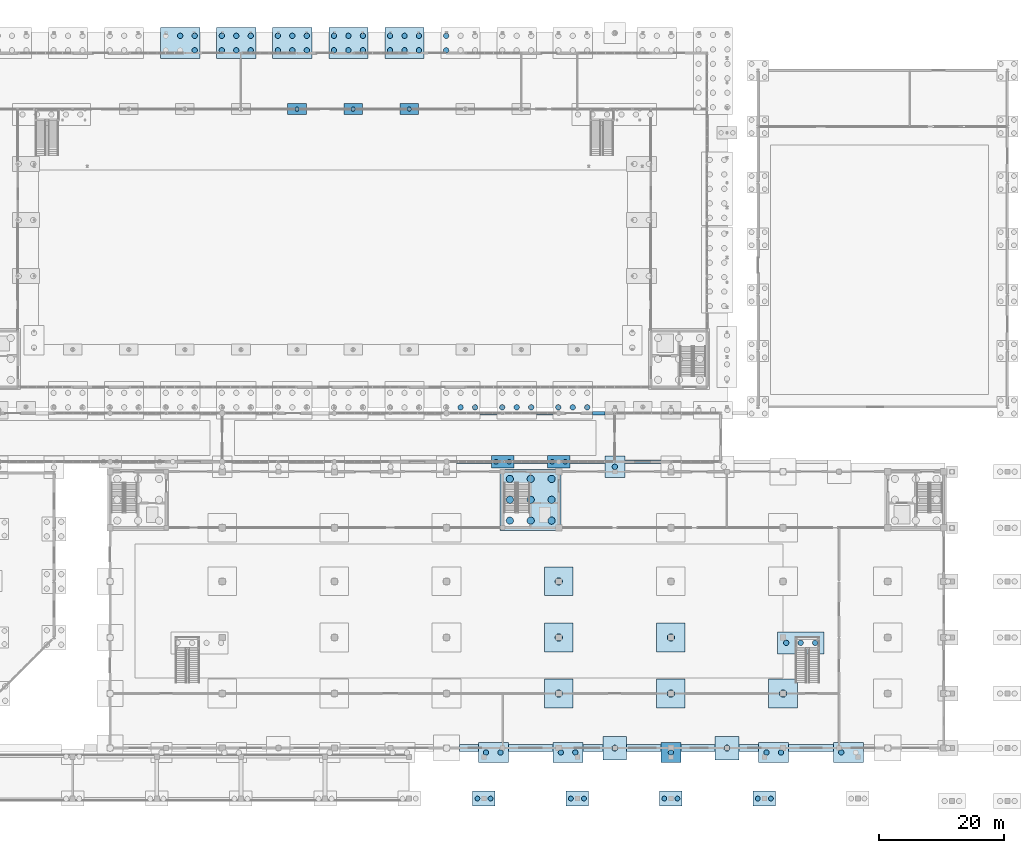
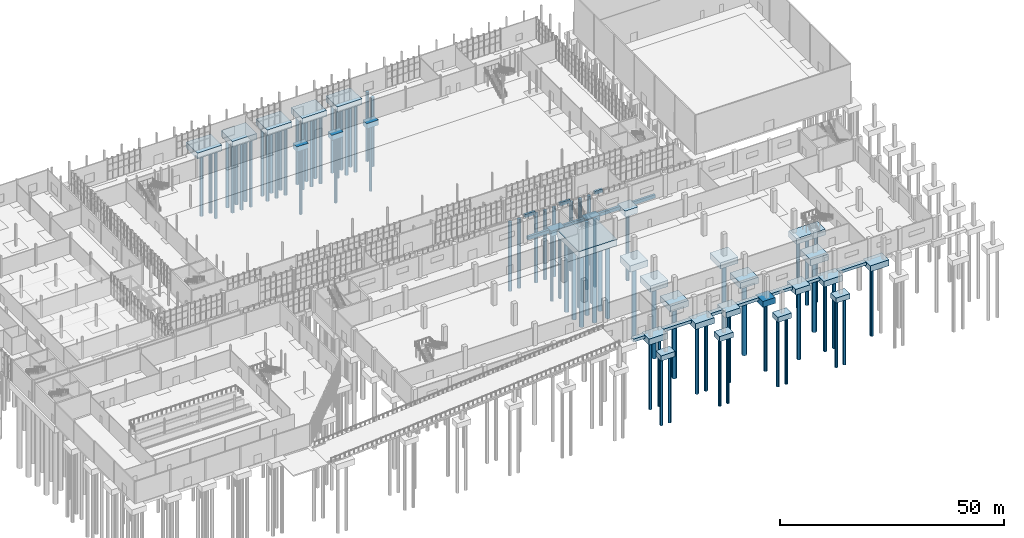
# One storey, part 5 of 131: 81 piles, 44 footings.
"""IFC4 building model written with IfcOpenShell, lengths in metres."""

from ifc_helpers import new_model, si_unit, direction, frame, origin, origin_2d, place, context, subcontext, project, spatial, rectangle, circle, extrude, material, material_profile, profile_set, type_object, element, save


model = new_model("IFC4")

# Units and contexts
model_context = context("Model", 3, precision=1e-05, world=origin(), true_north=direction((0.0, 1.0)))
body_context = subcontext(model_context, "Body", "Model", "MODEL_VIEW")
ifc_project = project(units=[si_unit("LENGTHUNIT", "METRE"), si_unit("AREAUNIT", "SQUARE_METRE"), si_unit("VOLUMEUNIT", "CUBIC_METRE"), si_unit("PLANEANGLEUNIT", "RADIAN"), si_unit("MASSUNIT", "GRAM", prefix="KILO")], contexts=[model_context])

# Site, building, storey
site_placement = place(None, origin())
site = spatial("IfcSite", under=ifc_project, at=site_placement, CompositionType="ELEMENT")
building_placement = place(site_placement, origin())
building = spatial("IfcBuilding", under=site, at=building_placement, Name="Cazmaro Siding Exhibition Halls", CompositionType="ELEMENT")
storey_placement = place(building_placement, origin())
storey = spatial("IfcBuildingStorey", under=building, at=storey_placement, Name="L00", CompositionType="ELEMENT", Elevation=0.0)

# Footings
ifc_material_1 = material(Name="Concrete f'c 35 MPa", Category="concrete")
footing_type_1 = type_object("IfcFootingType", Name="GB-0200", PredefinedType="FOOTING_BEAM", material=ifc_material_1)
footing_1_placement = place(storey_placement, frame((150.39990234375, 63.0, -0.89990234375), z_axis=(0.0, 0.0, 1.0), x_axis=(1.0, 0.0, 0.0)))
element("IfcFooting", 1, at=footing_1_placement, inside=storey, type_object=footing_type_1, Name="Seismic tie ground beam GB-0200 FTG-0277", PredefinedType="FOOTING_BEAM", context=body_context, shape_type="SweptSolid", body=[
    extrude(rectangle(XDim=2.0, YDim=0.60009765625, at=origin_2d()), origin(), (0.0, 0.0, 1.0), 0.89990234375),
])
ifc_material_2 = material(Name="Concrete f'c 35 MPa", Category="concrete")
footing_type_2 = type_object("IfcFootingType", Name="GB-0270", PredefinedType="FOOTING_BEAM", material=ifc_material_2)
for number, where, z_axis, x_axis, name in (
    (2, (132.75, 63.0, -0.89990234375), (0.0, 0.0, 1.0), (1.0, 0.0, 0.0), "Seismic tie ground beam GB-0270 FTG-0275"),
    (3, (141.75, 63.0, -0.89990234375), (0.0, 0.0, 1.0), (1.0, 0.0, 0.0), "Seismic tie ground beam GB-0270 FTG-0276"),
):
    element("IfcFooting", number, at=place(storey_placement, frame(where, z_axis=z_axis, x_axis=x_axis)), inside=storey, type_object=footing_type_2, Name=name, PredefinedType="FOOTING_BEAM", context=body_context, shape_type="SweptSolid", body=[
        extrude(rectangle(XDim=2.699951171875, YDim=0.60009765625, at=origin_2d()), origin(), (0.0, 0.0, 1.0), 0.89990234375),
    ])
ifc_material_3 = material(Name="Concrete f'c 35 MPa", Category="concrete")
footing_type_3 = type_object("IfcFootingType", Name="GB-0540", PredefinedType="FOOTING_BEAM", material=ifc_material_3)
footing_2_placement = place(storey_placement, frame((139.5, 55.199951171875, -0.89990234375), z_axis=(0.0, 0.0, 1.0), x_axis=(1.0, 0.0, 0.0)))
element("IfcFooting", 4, at=footing_2_placement, inside=storey, type_object=footing_type_3, Name="Seismic tie ground beam GB-0540 FTG-0257", PredefinedType="FOOTING_BEAM", context=body_context, shape_type="SweptSolid", body=[
    extrude(rectangle(XDim=5.39990234375, YDim=0.60009765625, at=origin_2d()), origin(), (0.0, 0.0, 1.0), 0.89990234375),
])
ifc_material_4 = material(Name="Concrete f'c 35 MPa", Category="concrete")
footing_type_4 = type_object("IfcFootingType", Name="GB-0560", PredefinedType="FOOTING_BEAM", material=ifc_material_4)
for number, where, z_axis, x_axis, name in (
    (5, (130.39990234375, 55.199951171875, -0.89990234375), (0.0, 0.0, 1.0), (1.0, 0.0, 0.0), "Seismic tie ground beam GB-0560 FTG-0256"),
    (6, (148.60009765625, 55.199951171875, -0.89990234375), (0.0, 0.0, 1.0), (1.0, 0.0, 0.0), "Seismic tie ground beam GB-0560 FTG-0258"),
):
    element("IfcFooting", number, at=place(storey_placement, frame(where, z_axis=z_axis, x_axis=x_axis)), inside=storey, type_object=footing_type_4, Name=name, PredefinedType="FOOTING_BEAM", context=body_context, shape_type="SweptSolid", body=[
        extrude(rectangle(XDim=5.60009765625, YDim=0.60009765625, at=origin_2d()), origin(), (0.0, 0.0, 1.0), 0.89990234375),
    ])
ifc_material_5 = material(Name="Concrete f'c 35 MPa", Category="concrete")
footing_type_5 = type_object("IfcFootingType", Name="GB-0580", PredefinedType="FOOTING_BEAM", material=ifc_material_5)
footing_3_placement = place(storey_placement, frame((157.5, 55.199951171875, -0.89990234375), z_axis=(0.0, 0.0, 1.0), x_axis=(1.0, 0.0, 0.0)))
element("IfcFooting", 7, at=footing_3_placement, inside=storey, type_object=footing_type_5, Name="Seismic tie ground beam GB-0580 FTG-0259", PredefinedType="FOOTING_BEAM", context=body_context, shape_type="SweptSolid", body=[
    extrude(rectangle(XDim=5.800048828125, YDim=0.60009765625, at=origin_2d()), origin(), (0.0, 0.0, 1.0), 0.89990234375),
])

# Piles
ifc_material_6 = material(Name="Concrete f'c 35 MPa", Category="concrete")
ifc_material_profile_1 = material_profile(ifc_material_6, circle(Radius=0.35009765625, at=origin_2d()), Name="CIDH-700")
ifc_profile_set_1 = profile_set([ifc_material_profile_1], Name="Concrete f'c 35 MPa")
pile_type_1 = type_object("IfcPileType", Name="P-01", PredefinedType="BORED", material=ifc_profile_set_1)
for number, where, z_axis, x_axis, name in (
    (8, (102.0, 111.800048828125, -1.300048828125), (0.0, 0.0, -1.0), (1.0, 0.0, 0.0), "Bored pile P-01 PIL-0472"),
    (9, (111.0, 111.800048828125, -1.300048828125), (0.0, 0.0, -1.0), (1.0, 0.0, 0.0), "Bored pile P-01 PIL-0494"),
    (10, (120.0, 111.800048828125, -1.300048828125), (0.0, 0.0, -1.0), (1.0, 0.0, 0.0), "Bored pile P-01 PIL-0513"),
):
    element("IfcPile", number, at=place(storey_placement, frame(where, z_axis=z_axis, x_axis=x_axis)), inside=storey, type_object=pile_type_1, Name=name, PredefinedType="BORED", context=body_context, shape_type="SweptSolid", body=[
        extrude(circle(Radius=0.35009765625, at=origin_2d()), origin(), (0.0, 0.0, 1.0), 18.0),
    ])
ifc_material_7 = material(Name="Concrete f'c 35 MPa", Category="concrete")
ifc_material_profile_2 = material_profile(ifc_material_7, circle(Radius=0.389892578125, at=origin_2d()), Name="CIDH-780")
ifc_profile_set_2 = profile_set([ifc_material_profile_2], Name="Concrete f'c 35 MPa")
pile_type_2 = type_object("IfcPileType", Name="P-02", PredefinedType="BORED", material=ifc_profile_set_2)
for number, where, z_axis, x_axis, name in (
    (11, (130.947021484375, 1.14990234375, -1.300048828125), (0.0, 0.0, -1.0), (1.0, 0.0, 0.0), "Bored pile P-02 PIL-0534"),
    (12, (133.052978515625, 1.14990234375, -1.300048828125), (0.0, 0.0, -1.0), (1.0, 0.0, 0.0), "Bored pile P-02 PIL-0535"),
    (13, (133.947021484375, 55.199951171875, -1.35009765625), (0.0, 0.0, -1.0), (1.0, 0.0, 0.0), "Bored pile P-02 PIL-0538"),
    (14, (136.052978515625, 55.199951171875, -1.35009765625), (0.0, 0.0, -1.0), (1.0, 0.0, 0.0), "Bored pile P-02 PIL-0539"),
    (15, (142.947021484375, 55.199951171875, -1.35009765625), (0.0, 0.0, -1.0), (1.0, 0.0, 0.0), "Bored pile P-02 PIL-0559"),
    (16, (145.052978515625, 55.199951171875, -1.35009765625), (0.0, 0.0, -1.0), (1.0, 0.0, 0.0), "Bored pile P-02 PIL-0560"),
    (17, (145.947021484375, 1.14990234375, -1.300048828125), (0.0, 0.0, -1.0), (1.0, 0.0, 0.0), "Bored pile P-02 PIL-0573"),
    (18, (148.052978515625, 1.14990234375, -1.300048828125), (0.0, 0.0, -1.0), (1.0, 0.0, 0.0), "Bored pile P-02 PIL-0574"),
    (19, (160.947021484375, 1.14990234375, -1.300048828125), (0.0, 0.0, -1.0), (1.0, 0.0, 0.0), "Bored pile P-02 PIL-0601"),
    (20, (163.052978515625, 1.14990234375, -1.300048828125), (0.0, 0.0, -1.0), (1.0, 0.0, 0.0), "Bored pile P-02 PIL-0602"),
    (21, (175.947021484375, 1.14990234375, -1.300048828125), (0.0, 0.0, -1.0), (1.0, 0.0, 0.0), "Bored pile P-02 PIL-0689"),
    (22, (178.052978515625, 1.14990234375, -1.300048828125), (0.0, 0.0, -1.0), (1.0, 0.0, 0.0), "Bored pile P-02 PIL-0690"),
):
    element("IfcPile", number, at=place(storey_placement, frame(where, z_axis=z_axis, x_axis=x_axis)), inside=storey, type_object=pile_type_2, Name=name, PredefinedType="BORED", context=body_context, shape_type="SweptSolid", body=[
        extrude(circle(Radius=0.389892578125, at=origin_2d()), origin(), (0.0, 0.0, 1.0), 18.39990234375),
    ])
ifc_material_8 = material(Name="Concrete f'c 35 MPa", Category="concrete")
ifc_material_profile_3 = material_profile(ifc_material_8, circle(Radius=0.429931640625, at=origin_2d()), Name="CIDH-860")
ifc_profile_set_3 = profile_set([ifc_material_profile_3], Name="Concrete f'c 35 MPa")
pile_type_3 = type_object("IfcPileType", Name="P-03", PredefinedType="BORED", material=ifc_profile_set_3)
for number, where, z_axis, x_axis, name in (
    (23, (83.25, 123.56103515625, -1.5), (0.0, 0.0, -1.0), (1.0, 0.0, 0.0), "Bored pile P-03 PIL-0426"),
    (24, (85.572021484375, 121.239013671875, -1.5), (0.0, 0.0, -1.0), (1.0, 0.0, 0.0), "Bored pile P-03 PIL-0427"),
    (25, (85.572021484375, 123.56103515625, -1.5), (0.0, 0.0, -1.0), (1.0, 0.0, 0.0), "Bored pile P-03 PIL-0428"),
    (26, (89.927978515625, 121.239013671875, -1.5), (0.0, 0.0, -1.0), (1.0, 0.0, 0.0), "Bored pile P-03 PIL-0447"),
    (27, (89.927978515625, 123.56103515625, -1.5), (0.0, 0.0, -1.0), (1.0, 0.0, 0.0), "Bored pile P-03 PIL-0448"),
    (28, (92.25, 121.239013671875, -1.5), (0.0, 0.0, -1.0), (1.0, 0.0, 0.0), "Bored pile P-03 PIL-0449"),
    (29, (92.25, 123.56103515625, -1.5), (0.0, 0.0, -1.0), (1.0, 0.0, 0.0), "Bored pile P-03 PIL-0450"),
    (30, (94.572021484375, 121.239013671875, -1.5), (0.0, 0.0, -1.0), (1.0, 0.0, 0.0), "Bored pile P-03 PIL-0451"),
    (31, (94.572021484375, 123.56103515625, -1.5), (0.0, 0.0, -1.0), (1.0, 0.0, 0.0), "Bored pile P-03 PIL-0452"),
    (32, (98.927978515625, 121.239013671875, -1.5), (0.0, 0.0, -1.0), (1.0, 0.0, 0.0), "Bored pile P-03 PIL-0465"),
    (33, (98.927978515625, 123.56103515625, -1.5), (0.0, 0.0, -1.0), (1.0, 0.0, 0.0), "Bored pile P-03 PIL-0466"),
    (34, (101.25, 121.239013671875, -1.5), (0.0, 0.0, -1.0), (1.0, 0.0, 0.0), "Bored pile P-03 PIL-0467"),
    (35, (101.25, 123.56103515625, -1.5), (0.0, 0.0, -1.0), (1.0, 0.0, 0.0), "Bored pile P-03 PIL-0468"),
    (36, (103.572021484375, 121.239013671875, -1.5), (0.0, 0.0, -1.0), (1.0, 0.0, 0.0), "Bored pile P-03 PIL-0469"),
    (37, (103.572021484375, 123.56103515625, -1.5), (0.0, 0.0, -1.0), (1.0, 0.0, 0.0), "Bored pile P-03 PIL-0470"),
    (38, (107.927978515625, 121.239013671875, -1.5), (0.0, 0.0, -1.0), (1.0, 0.0, 0.0), "Bored pile P-03 PIL-0487"),
    (39, (107.927978515625, 123.56103515625, -1.5), (0.0, 0.0, -1.0), (1.0, 0.0, 0.0), "Bored pile P-03 PIL-0488"),
    (40, (110.25, 121.239013671875, -1.5), (0.0, 0.0, -1.0), (1.0, 0.0, 0.0), "Bored pile P-03 PIL-0489"),
    (41, (110.25, 123.56103515625, -1.5), (0.0, 0.0, -1.0), (1.0, 0.0, 0.0), "Bored pile P-03 PIL-0490"),
    (42, (112.572021484375, 121.239013671875, -1.5), (0.0, 0.0, -1.0), (1.0, 0.0, 0.0), "Bored pile P-03 PIL-0491"),
    (43, (112.572021484375, 123.56103515625, -1.5), (0.0, 0.0, -1.0), (1.0, 0.0, 0.0), "Bored pile P-03 PIL-0492"),
    (44, (116.927978515625, 121.239013671875, -1.5), (0.0, 0.0, -1.0), (1.0, 0.0, 0.0), "Bored pile P-03 PIL-0504"),
    (45, (116.927978515625, 123.56103515625, -1.5), (0.0, 0.0, -1.0), (1.0, 0.0, 0.0), "Bored pile P-03 PIL-0505"),
    (46, (119.25, 121.239013671875, -1.5), (0.0, 0.0, -1.0), (1.0, 0.0, 0.0), "Bored pile P-03 PIL-0506"),
    (47, (119.25, 123.56103515625, -1.5), (0.0, 0.0, -1.0), (1.0, 0.0, 0.0), "Bored pile P-03 PIL-0507"),
    (48, (121.572021484375, 121.239013671875, -1.5), (0.0, 0.0, -1.0), (1.0, 0.0, 0.0), "Bored pile P-03 PIL-0508"),
    (49, (121.572021484375, 123.56103515625, -1.5), (0.0, 0.0, -1.0), (1.0, 0.0, 0.0), "Bored pile P-03 PIL-0509"),
    (50, (128.25, 63.93896484375, -1.5), (0.0, 0.0, -1.0), (1.0, 0.0, 0.0), "Bored pile P-03 PIL-0522"),
    (51, (130.572021484375, 63.93896484375, -1.5), (0.0, 0.0, -1.0), (1.0, 0.0, 0.0), "Bored pile P-03 PIL-0524"),
    (52, (125.927978515625, 121.239013671875, -1.5), (0.0, 0.0, -1.0), (1.0, 0.0, 0.0), "Bored pile P-03 PIL-0526"),
    (53, (125.927978515625, 123.56103515625, -1.5), (0.0, 0.0, -1.0), (1.0, 0.0, 0.0), "Bored pile P-03 PIL-0527"),
    (54, (132.339111328125, 8.550048828125, -1.5), (0.0, 0.0, -1.0), (1.0, 0.0, 0.0), "Bored pile P-03 PIL-0536"),
    (55, (134.660888671875, 8.550048828125, -1.5), (0.0, 0.0, -1.0), (1.0, 0.0, 0.0), "Bored pile P-03 PIL-0537"),
    (56, (134.927978515625, 63.93896484375, -1.5), (0.0, 0.0, -1.0), (1.0, 0.0, 0.0), "Bored pile P-03 PIL-0540"),
    (57, (137.25, 63.93896484375, -1.5), (0.0, 0.0, -1.0), (1.0, 0.0, 0.0), "Bored pile P-03 PIL-0542"),
    (58, (139.572021484375, 63.93896484375, -1.5), (0.0, 0.0, -1.0), (1.0, 0.0, 0.0), "Bored pile P-03 PIL-0544"),
    (59, (144.339111328125, 8.550048828125, -1.5), (0.0, 0.0, -1.0), (1.0, 0.0, 0.0), "Bored pile P-03 PIL-0554"),
    (60, (146.660888671875, 8.550048828125, -1.5), (0.0, 0.0, -1.0), (1.0, 0.0, 0.0), "Bored pile P-03 PIL-0555"),
    (61, (143.927978515625, 63.93896484375, -1.5), (0.0, 0.0, -1.0), (1.0, 0.0, 0.0), "Bored pile P-03 PIL-0561"),
    (62, (146.25, 63.93896484375, -1.5), (0.0, 0.0, -1.0), (1.0, 0.0, 0.0), "Bored pile P-03 PIL-0563"),
    (63, (148.572021484375, 63.93896484375, -1.5), (0.0, 0.0, -1.0), (1.0, 0.0, 0.0), "Bored pile P-03 PIL-0565"),
    (64, (153.0, 54.39990234375, -1.5), (0.0, 0.0, -1.0), (1.0, 0.0, 0.0), "Bored pile P-03 PIL-0583"),
    (65, (162.0, 8.550048828125, -1.5), (0.0, 0.0, -1.0), (1.0, 0.0, 0.0), "Bored pile P-03 PIL-0603"),
    (66, (177.339111328125, 8.550048828125, -1.5), (0.0, 0.0, -1.0), (1.0, 0.0, 0.0), "Bored pile P-03 PIL-0691"),
    (67, (179.660888671875, 8.550048828125, -1.5), (0.0, 0.0, -1.0), (1.0, 0.0, 0.0), "Bored pile P-03 PIL-0692"),
    (68, (180.5029296875, 26.135009765625, -1.5), (0.0, 0.0, -1.0), (1.0, 0.0, 0.0), "Bored pile P-03 PIL-0694"),
    (69, (182.824951171875, 26.135009765625, -1.5), (0.0, 0.0, -1.0), (1.0, 0.0, 0.0), "Bored pile P-03 PIL-0695"),
    (70, (185.14697265625, 26.135009765625, -1.5), (0.0, 0.0, -1.0), (1.0, 0.0, 0.0), "Bored pile P-03 PIL-0696"),
    (71, (189.339111328125, 8.550048828125, -1.5), (0.0, 0.0, -1.0), (1.0, 0.0, 0.0), "Bored pile P-03 PIL-0700"),
):
    element("IfcPile", number, at=place(storey_placement, frame(where, z_axis=z_axis, x_axis=x_axis)), inside=storey, type_object=pile_type_3, Name=name, PredefinedType="BORED", context=body_context, shape_type="SweptSolid", body=[
        extrude(circle(Radius=0.429931640625, at=origin_2d()), origin(), (0.0, 0.0, 1.0), 18.800048828125),
    ])
ifc_material_9 = material(Name="Concrete f'c 35 MPa", Category="concrete")
ifc_material_profile_4 = material_profile(ifc_material_9, circle(Radius=0.47998046875, at=origin_2d()), Name="CIDH-960")
ifc_profile_set_4 = profile_set([ifc_material_profile_4], Name="Concrete f'c 35 MPa")
pile_type_4 = type_object("IfcPileType", Name="P-04", PredefinedType="BORED", material=ifc_profile_set_4)
for number, where, z_axis, x_axis, name in (
    (72, (153.0, 9.25, -1.449951171875), (0.0, 0.0, -1.0), (1.0, 0.0, 0.0), "Bored pile P-04 PIL-0582"),
    (73, (171.0, 9.25, -1.449951171875), (0.0, 0.0, -1.0), (1.0, 0.0, 0.0), "Bored pile P-04 PIL-0654"),
):
    element("IfcPile", number, at=place(storey_placement, frame(where, z_axis=z_axis, x_axis=x_axis)), inside=storey, type_object=pile_type_4, Name=name, PredefinedType="BORED", context=body_context, shape_type="SweptSolid", body=[
        extrude(circle(Radius=0.47998046875, at=origin_2d()), origin(), (0.0, 0.0, 1.0), 19.199951171875),
    ])
ifc_material_10 = material(Name="Concrete f'c 35 MPa", Category="concrete")
ifc_material_profile_5 = material_profile(ifc_material_10, circle(Radius=0.580078125, at=origin_2d()), Name="CIDH-1160")
ifc_profile_set_5 = profile_set([ifc_material_profile_5], Name="Concrete f'c 35 MPa")
pile_type_5 = type_object("IfcPileType", Name="P-06", PredefinedType="BORED", material=ifc_profile_set_5)
for number, where, z_axis, x_axis, name in (
    (74, (136.14990234375, 45.75, -1.699951171875), (0.0, 0.0, -1.0), (1.0, 0.0, 0.0), "Bored pile P-06 PIL-0043"),
    (75, (136.14990234375, 49.10009765625, -1.699951171875), (0.0, 0.0, -1.0), (1.0, 0.0, 0.0), "Bored pile P-06 PIL-0044"),
    (76, (136.14990234375, 52.449951171875, -1.699951171875), (0.0, 0.0, -1.0), (1.0, 0.0, 0.0), "Bored pile P-06 PIL-0045"),
    (77, (139.5, 45.75, -1.699951171875), (0.0, 0.0, -1.0), (1.0, 0.0, 0.0), "Bored pile P-06 PIL-0046"),
    (78, (139.5, 49.10009765625, -1.699951171875), (0.0, 0.0, -1.0), (1.0, 0.0, 0.0), "Bored pile P-06 PIL-0047"),
    (79, (139.5, 52.449951171875, -1.699951171875), (0.0, 0.0, -1.0), (1.0, 0.0, 0.0), "Bored pile P-06 PIL-0048"),
    (80, (142.85009765625, 45.75, -1.699951171875), (0.0, 0.0, -1.0), (1.0, 0.0, 0.0), "Bored pile P-06 PIL-0049"),
    (81, (142.85009765625, 49.10009765625, -1.699951171875), (0.0, 0.0, -1.0), (1.0, 0.0, 0.0), "Bored pile P-06 PIL-0050"),
    (82, (142.85009765625, 52.449951171875, -1.699951171875), (0.0, 0.0, -1.0), (1.0, 0.0, 0.0), "Bored pile P-06 PIL-0051"),
    (83, (144.0, 18.0, -1.60009765625), (0.0, 0.0, -1.0), (1.0, 0.0, 0.0), "Bored pile P-06 PIL-0556"),
    (84, (144.0, 27.0, -1.60009765625), (0.0, 0.0, -1.0), (1.0, 0.0, 0.0), "Bored pile P-06 PIL-0557"),
    (85, (144.0, 36.0, -1.60009765625), (0.0, 0.0, -1.0), (1.0, 0.0, 0.0), "Bored pile P-06 PIL-0558"),
    (86, (162.0, 18.0, -1.60009765625), (0.0, 0.0, -1.0), (1.0, 0.0, 0.0), "Bored pile P-06 PIL-0604"),
    (87, (162.0, 27.0, -1.60009765625), (0.0, 0.0, -1.0), (1.0, 0.0, 0.0), "Bored pile P-06 PIL-0605"),
    (88, (180.0, 18.0, -1.60009765625), (0.0, 0.0, -1.0), (1.0, 0.0, 0.0), "Bored pile P-06 PIL-0693"),
):
    element("IfcPile", number, at=place(storey_placement, frame(where, z_axis=z_axis, x_axis=x_axis)), inside=storey, type_object=pile_type_5, Name=name, PredefinedType="BORED", context=body_context, shape_type="SweptSolid", body=[
        extrude(circle(Radius=0.580078125, at=origin_2d()), origin(), (0.0, 0.0, 1.0), 20.0),
    ])

# Footings
ifc_material_11 = material(Name="Concrete f'c 35 MPa", Category="concrete")
footing_type_6 = type_object("IfcFootingType", Name="PC-01", PredefinedType="PILE_CAP", material=ifc_material_11)
for number, where, z_axis, x_axis, name in (
    (89, (102.0, 111.800048828125, -1.39990234375), (0.0, 0.0, 1.0), (1.0, 0.0, 0.0), "Pile cap PC-01 FTG-0129"),
    (90, (111.0, 111.800048828125, -1.39990234375), (0.0, 0.0, 1.0), (1.0, 0.0, 0.0), "Pile cap PC-01 FTG-0140"),
    (91, (120.0, 111.800048828125, -1.39990234375), (0.0, 0.0, 1.0), (1.0, 0.0, 0.0), "Pile cap PC-01 FTG-0147"),
):
    element("IfcFooting", number, at=place(storey_placement, frame(where, z_axis=z_axis, x_axis=x_axis)), inside=storey, type_object=footing_type_6, Name=name, PredefinedType="PILE_CAP", context=body_context, shape_type="SweptSolid", body=[
        extrude(rectangle(XDim=3.0, YDim=1.800048828125, at=origin_2d()), origin(), (0.0, 0.0, 1.0), 1.39990234375),
    ])
ifc_material_12 = material(Name="Concrete f'c 35 MPa", Category="concrete")
footing_type_7 = type_object("IfcFootingType", Name="PC-03", PredefinedType="PILE_CAP", material=ifc_material_12)
for number, where, z_axis, x_axis, name in (
    (92, (153.0, 9.25, -1.5498046875), (0.0, 0.0, 1.0), (1.0, 0.0, 0.0), "Pile cap PC-03 FTG-0175"),
    (93, (171.0, 9.25, -1.5498046875), (0.0, 0.0, 1.0), (1.0, 0.0, 0.0), "Pile cap PC-03 FTG-0198"),
):
    element("IfcFooting", number, at=place(storey_placement, frame(where, z_axis=z_axis, x_axis=x_axis)), inside=storey, type_object=footing_type_7, Name=name, PredefinedType="PILE_CAP", context=body_context, shape_type="SweptSolid", body=[
        extrude(rectangle(XDim=3.800048828125, YDim=3.800048828125, at=origin_2d()), origin(), (0.0, 0.0, 1.0), 1.550048828125),
    ])
ifc_material_13 = material(Name="Concrete f'c 35 MPa", Category="concrete")
footing_type_8 = type_object("IfcFootingType", Name="PC-05", PredefinedType="PILE_CAP", material=ifc_material_13)
for number, where, z_axis, x_axis, name in (
    (94, (144.0, 18.0, -1.7001953125), (0.0, 0.0, 1.0), (1.0, 0.0, 0.0), "Pile cap PC-05 FTG-0166"),
    (95, (144.0, 27.0, -1.7001953125), (0.0, 0.0, 1.0), (1.0, 0.0, 0.0), "Pile cap PC-05 FTG-0167"),
    (96, (144.0, 36.0, -1.7001953125), (0.0, 0.0, 1.0), (1.0, 0.0, 0.0), "Pile cap PC-05 FTG-0168"),
    (97, (162.0, 18.0, -1.7001953125), (0.0, 0.0, 1.0), (1.0, 0.0, 0.0), "Pile cap PC-05 FTG-0187"),
    (98, (162.0, 27.0, -1.7001953125), (0.0, 0.0, 1.0), (1.0, 0.0, 0.0), "Pile cap PC-05 FTG-0188"),
    (99, (180.0, 18.0, -1.7001953125), (0.0, 0.0, 1.0), (1.0, 0.0, 0.0), "Pile cap PC-05 FTG-0210"),
):
    element("IfcFooting", number, at=place(storey_placement, frame(where, z_axis=z_axis, x_axis=x_axis)), inside=storey, type_object=footing_type_8, Name=name, PredefinedType="PILE_CAP", context=body_context, shape_type="SweptSolid", body=[
        extrude(rectangle(XDim=4.60009765625, YDim=4.60009765625, at=origin_2d()), origin(), (0.0, 0.0, 1.0), 1.699951171875),
    ])
ifc_material_14 = material(Name="Concrete f'c 35 MPa", Category="concrete")
footing_type_9 = type_object("IfcFootingType", Name="PC-06", PredefinedType="PILE_CAP", material=ifc_material_14)
for number, where, z_axis, x_axis, name in (
    (100, (135.0, 55.199951171875, -1.4501953125), (0.0, 0.0, 1.0), (1.0, 0.0, 0.0), "Pile cap PC-06 FTG-0160"),
    (101, (144.0, 55.199951171875, -1.4501953125), (0.0, 0.0, 1.0), (1.0, 0.0, 0.0), "Pile cap PC-06 FTG-0169"),
):
    element("IfcFooting", number, at=place(storey_placement, frame(where, z_axis=z_axis, x_axis=x_axis)), inside=storey, type_object=footing_type_9, Name=name, PredefinedType="PILE_CAP", context=body_context, shape_type="SweptSolid", body=[
        extrude(rectangle(XDim=3.60009765625, YDim=2.0, at=origin_2d()), origin(), (0.0, 0.0, 1.0), 1.449951171875),
    ])
ifc_material_15 = material(Name="Concrete f'c 35 MPa", Category="concrete")
footing_type_10 = type_object("IfcFootingType", Name="PC-12", PredefinedType="PILE_CAP", material=ifc_material_15)
footing_4_placement = place(storey_placement, frame((139.5, 49.10009765625, -1.7998046875), z_axis=(0.0, 0.0, 1.0), x_axis=(1.0, 0.0, 0.0)))
element("IfcFooting", 102, at=footing_4_placement, inside=storey, type_object=footing_type_10, Name="Pile cap PC-12 FTG-0005", PredefinedType="PILE_CAP", context=body_context, shape_type="SweptSolid", body=[
    extrude(rectangle(XDim=9.800048828125, YDim=9.800048828125, at=origin_2d()), origin(), (0.0, 0.0, 1.0), 1.800048828125),
])
ifc_material_16 = material(Name="Concrete f'c 35 MPa", Category="concrete")
footing_type_11 = type_object("IfcFootingType", Name="PC-15", PredefinedType="PILE_CAP", material=ifc_material_16)
for number, where, z_axis, x_axis, name in (
    (103, (132.0, 1.14990234375, -1.39990234375), (0.0, 0.0, 1.0), (1.0, 0.0, 0.0), "Pile cap PC-15 FTG-0158"),
    (104, (147.0, 1.14990234375, -1.39990234375), (0.0, 0.0, 1.0), (1.0, 0.0, 0.0), "Pile cap PC-15 FTG-0172"),
    (105, (162.0, 1.14990234375, -1.39990234375), (0.0, 0.0, 1.0), (1.0, 0.0, 0.0), "Pile cap PC-15 FTG-0185"),
    (106, (177.0, 1.14990234375, -1.39990234375), (0.0, 0.0, 1.0), (1.0, 0.0, 0.0), "Pile cap PC-15 FTG-0208"),
):
    element("IfcFooting", number, at=place(storey_placement, frame(where, z_axis=z_axis, x_axis=x_axis)), inside=storey, type_object=footing_type_11, Name=name, PredefinedType="PILE_CAP", context=body_context, shape_type="SweptSolid", body=[
        extrude(rectangle(XDim=3.60009765625, YDim=2.39990234375, at=origin_2d()), origin(), (0.0, 0.0, 1.0), 1.39990234375),
    ])
ifc_material_17 = material(Name="Concrete f'c 35 MPa", Category="concrete")
footing_type_12 = type_object("IfcFootingType", Name="PC-44", PredefinedType="PILE_CAP", material=ifc_material_17)
footing_5_placement = place(storey_placement, frame((83.25, 122.39990234375, -1.60009765625), z_axis=(0.0, 0.0, 1.0), x_axis=(1.0, 0.0, 0.0)))
element("IfcFooting", 107, at=footing_5_placement, inside=storey, type_object=footing_type_12, Name="Pile cap PC-44 FTG-0110", PredefinedType="PILE_CAP", context=body_context, shape_type="SweptSolid", body=[
    extrude(rectangle(XDim=6.300048828125, YDim=5.0, at=origin_2d()), origin(), (0.0, 0.0, 1.0), 1.60009765625),
])
ifc_material_18 = material(Name="Concrete f'c 35 MPa", Category="concrete")
footing_type_13 = type_object("IfcFootingType", Name="PC-49", PredefinedType="PILE_CAP", material=ifc_material_18)
footing_6_placement = place(storey_placement, frame((92.25, 122.39990234375, -1.60009765625), z_axis=(0.0, 0.0, 1.0), x_axis=(1.0, 0.0, 0.0)))
element("IfcFooting", 108, at=footing_6_placement, inside=storey, type_object=footing_type_13, Name="Pile cap PC-49 FTG-0120", PredefinedType="PILE_CAP", context=body_context, shape_type="SweptSolid", body=[
    extrude(rectangle(XDim=6.300048828125, YDim=5.0, at=origin_2d()), origin(), (0.0, 0.0, 1.0), 1.60009765625),
])
ifc_material_19 = material(Name="Concrete f'c 35 MPa", Category="concrete")
footing_type_14 = type_object("IfcFootingType", Name="PC-52", PredefinedType="PILE_CAP", material=ifc_material_19)
footing_7_placement = place(storey_placement, frame((101.25, 122.39990234375, -1.60009765625), z_axis=(0.0, 0.0, 1.0), x_axis=(1.0, 0.0, 0.0)))
element("IfcFooting", 109, at=footing_7_placement, inside=storey, type_object=footing_type_14, Name="Pile cap PC-52 FTG-0127", PredefinedType="PILE_CAP", context=body_context, shape_type="SweptSolid", body=[
    extrude(rectangle(XDim=6.300048828125, YDim=5.0, at=origin_2d()), origin(), (0.0, 0.0, 1.0), 1.60009765625),
])
ifc_material_20 = material(Name="Concrete f'c 35 MPa", Category="concrete")
footing_type_15 = type_object("IfcFootingType", Name="PC-56", PredefinedType="PILE_CAP", material=ifc_material_20)
footing_8_placement = place(storey_placement, frame((110.25, 122.39990234375, -1.60009765625), z_axis=(0.0, 0.0, 1.0), x_axis=(1.0, 0.0, 0.0)))
element("IfcFooting", 110, at=footing_8_placement, inside=storey, type_object=footing_type_15, Name="Pile cap PC-56 FTG-0138", PredefinedType="PILE_CAP", context=body_context, shape_type="SweptSolid", body=[
    extrude(rectangle(XDim=6.300048828125, YDim=5.0, at=origin_2d()), origin(), (0.0, 0.0, 1.0), 1.60009765625),
])
ifc_material_21 = material(Name="Concrete f'c 35 MPa", Category="concrete")
footing_type_16 = type_object("IfcFootingType", Name="PC-60", PredefinedType="PILE_CAP", material=ifc_material_21)
footing_9_placement = place(storey_placement, frame((119.25, 122.39990234375, -1.60009765625), z_axis=(0.0, 0.0, 1.0), x_axis=(1.0, 0.0, 0.0)))
element("IfcFooting", 111, at=footing_9_placement, inside=storey, type_object=footing_type_16, Name="Pile cap PC-60 FTG-0144", PredefinedType="PILE_CAP", context=body_context, shape_type="SweptSolid", body=[
    extrude(rectangle(XDim=6.300048828125, YDim=5.0, at=origin_2d()), origin(), (0.0, 0.0, 1.0), 1.60009765625),
])
ifc_material_22 = material(Name="Concrete f'c 35 MPa", Category="concrete")
footing_type_17 = type_object("IfcFootingType", Name="PC-64", PredefinedType="PILE_CAP", material=ifc_material_22)
footing_10_placement = place(storey_placement, frame((133.5, 8.550048828125, -1.60009765625), z_axis=(0.0, 0.0, 1.0), x_axis=(1.0, 0.0, 0.0)))
element("IfcFooting", 112, at=footing_10_placement, inside=storey, type_object=footing_type_17, Name="Pile cap PC-64 FTG-0159", PredefinedType="PILE_CAP", context=body_context, shape_type="SweptSolid", body=[
    extrude(rectangle(XDim=4.800048828125, YDim=3.199951171875, at=origin_2d()), origin(), (0.0, 0.0, 1.0), 1.60009765625),
])
ifc_material_23 = material(Name="Concrete f'c 35 MPa", Category="concrete")
footing_type_18 = type_object("IfcFootingType", Name="PC-67", PredefinedType="PILE_CAP", material=ifc_material_23)
footing_11_placement = place(storey_placement, frame((145.5, 8.550048828125, -1.60009765625), z_axis=(0.0, 0.0, 1.0), x_axis=(1.0, 0.0, 0.0)))
element("IfcFooting", 113, at=footing_11_placement, inside=storey, type_object=footing_type_18, Name="Pile cap PC-67 FTG-0165", PredefinedType="PILE_CAP", context=body_context, shape_type="SweptSolid", body=[
    extrude(rectangle(XDim=4.800048828125, YDim=3.199951171875, at=origin_2d()), origin(), (0.0, 0.0, 1.0), 1.60009765625),
])
ifc_material_24 = material(Name="Concrete f'c 35 MPa", Category="concrete")
footing_type_19 = type_object("IfcFootingType", Name="PC-71", PredefinedType="PILE_CAP", material=ifc_material_24)
footing_12_placement = place(storey_placement, frame((153.0, 54.39990234375, -1.60009765625), z_axis=(0.0, 0.0, 1.0), x_axis=(1.0, 0.0, 0.0)))
element("IfcFooting", 114, at=footing_12_placement, inside=storey, type_object=footing_type_19, Name="Pile cap PC-71 FTG-0176", PredefinedType="PILE_CAP", context=body_context, shape_type="SweptSolid", body=[
    extrude(rectangle(XDim=3.199951171875, YDim=3.39990234375, at=origin_2d()), origin(), (0.0, 0.0, 1.0), 1.60009765625),
])
ifc_material_25 = material(Name="Concrete f'c 35 MPa", Category="concrete")
footing_type_20 = type_object("IfcFootingType", Name="PC-78", PredefinedType="PILE_CAP", material=ifc_material_25)
footing_13_placement = place(storey_placement, frame((162.0, 8.550048828125, -1.60009765625), z_axis=(0.0, 0.0, 1.0), x_axis=(1.0, 0.0, 0.0)))
element("IfcFooting", 115, at=footing_13_placement, inside=storey, type_object=footing_type_20, Name="Pile cap PC-78 FTG-0186", PredefinedType="PILE_CAP", context=body_context, shape_type="SweptSolid", body=[
    extrude(rectangle(XDim=3.199951171875, YDim=3.199951171875, at=origin_2d()), origin(), (0.0, 0.0, 1.0), 1.60009765625),
])
ifc_material_26 = material(Name="Concrete f'c 35 MPa", Category="concrete")
footing_type_21 = type_object("IfcFootingType", Name="PC-87", PredefinedType="PILE_CAP", material=ifc_material_26)
footing_14_placement = place(storey_placement, frame((178.5, 8.550048828125, -1.60009765625), z_axis=(0.0, 0.0, 1.0), x_axis=(1.0, 0.0, 0.0)))
element("IfcFooting", 116, at=footing_14_placement, inside=storey, type_object=footing_type_21, Name="Pile cap PC-87 FTG-0209", PredefinedType="PILE_CAP", context=body_context, shape_type="SweptSolid", body=[
    extrude(rectangle(XDim=4.800048828125, YDim=3.199951171875, at=origin_2d()), origin(), (0.0, 0.0, 1.0), 1.60009765625),
])
ifc_material_27 = material(Name="Concrete f'c 35 MPa", Category="concrete")
footing_type_22 = type_object("IfcFootingType", Name="PC-88", PredefinedType="PILE_CAP", material=ifc_material_27)
footing_15_placement = place(storey_placement, frame((182.824951171875, 26.135009765625, -1.60009765625), z_axis=(0.0, 0.0, 1.0), x_axis=(1.0, 0.0, 0.0)))
element("IfcFooting", 117, at=footing_15_placement, inside=storey, type_object=footing_type_22, Name="Pile cap PC-88 FTG-0211", PredefinedType="PILE_CAP", context=body_context, shape_type="SweptSolid", body=[
    extrude(rectangle(XDim=7.449951171875, YDim=3.530029296875, at=origin_2d()), origin(), (0.0, 0.0, 1.0), 1.60009765625),
])
ifc_material_28 = material(Name="Concrete f'c 35 MPa", Category="concrete")
footing_type_23 = type_object("IfcFootingType", Name="PC-89", PredefinedType="PILE_CAP", material=ifc_material_28)
footing_16_placement = place(storey_placement, frame((190.5, 8.550048828125, -1.60009765625), z_axis=(0.0, 0.0, 1.0), x_axis=(1.0, 0.0, 0.0)))
element("IfcFooting", 118, at=footing_16_placement, inside=storey, type_object=footing_type_23, Name="Pile cap PC-89 FTG-0215", PredefinedType="PILE_CAP", context=body_context, shape_type="SweptSolid", body=[
    extrude(rectangle(XDim=4.800048828125, YDim=3.199951171875, at=origin_2d()), origin(), (0.0, 0.0, 1.0), 1.60009765625),
])
ifc_material_29 = material(Name="Concrete f'c 35 MPa", Category="concrete")
footing_type_24 = type_object("IfcFootingType", Name="SF-0300", PredefinedType="STRIP_FOOTING", material=ifc_material_29)
footing_17_placement = place(storey_placement, frame((129.60009765625, 9.25, -0.7998046875), z_axis=(0.0, 0.0, 1.0), x_axis=(1.0, 0.0, 0.0)))
element("IfcFooting", 119, at=footing_17_placement, inside=storey, type_object=footing_type_24, Name="Strip footing SF-0300 FTG-0293", PredefinedType="STRIP_FOOTING", context=body_context, shape_type="SweptSolid", body=[
    extrude(rectangle(XDim=3.0, YDim=1.10009765625, at=origin_2d()), origin(), (0.0, 0.0, 1.0), 0.800048828125),
])
ifc_material_30 = material(Name="Concrete f'c 35 MPa", Category="concrete")
footing_type_25 = type_object("IfcFootingType", Name="SF-0320", PredefinedType="STRIP_FOOTING", material=ifc_material_30)
for number, where, z_axis, x_axis, name in (
    (120, (149.5, 9.25, -0.7998046875), (0.0, 0.0, 1.0), (1.0, 0.0, 0.0), "Strip footing SF-0320 FTG-0295"),
    (121, (174.5, 9.25, -0.7998046875), (0.0, 0.0, 1.0), (1.0, 0.0, 0.0), "Strip footing SF-0320 FTG-0298"),
):
    element("IfcFooting", number, at=place(storey_placement, frame(where, z_axis=z_axis, x_axis=x_axis)), inside=storey, type_object=footing_type_25, Name=name, PredefinedType="STRIP_FOOTING", context=body_context, shape_type="SweptSolid", body=[
        extrude(rectangle(XDim=3.199951171875, YDim=1.10009765625, at=origin_2d()), origin(), (0.0, 0.0, 1.0), 0.800048828125),
    ])
ifc_material_31 = material(Name="Concrete f'c 35 MPa", Category="concrete")
footing_type_26 = type_object("IfcFootingType", Name="SF-0550", PredefinedType="STRIP_FOOTING", material=ifc_material_31)
for number, where, z_axis, x_axis, name in (
    (122, (157.64990234375, 9.25, -0.7998046875), (0.0, 0.0, 1.0), (1.0, 0.0, 0.0), "Strip footing SF-0550 FTG-0296"),
    (123, (166.35009765625, 9.25, -0.7998046875), (0.0, 0.0, 1.0), (1.0, 0.0, 0.0), "Strip footing SF-0550 FTG-0297"),
):
    element("IfcFooting", number, at=place(storey_placement, frame(where, z_axis=z_axis, x_axis=x_axis)), inside=storey, type_object=footing_type_26, Name=name, PredefinedType="STRIP_FOOTING", context=body_context, shape_type="SweptSolid", body=[
        extrude(rectangle(XDim=5.5, YDim=1.10009765625, at=origin_2d()), origin(), (0.0, 0.0, 1.0), 0.800048828125),
    ])
ifc_material_32 = material(Name="Concrete f'c 35 MPa", Category="concrete")
footing_type_27 = type_object("IfcFootingType", Name="SF-0720", PredefinedType="STRIP_FOOTING", material=ifc_material_32)
for number, where, z_axis, x_axis, name in (
    (124, (139.5, 9.25, -0.7998046875), (0.0, 0.0, 1.0), (1.0, 0.0, 0.0), "Strip footing SF-0720 FTG-0294"),
    (125, (184.5, 9.25, -0.7998046875), (0.0, 0.0, 1.0), (1.0, 0.0, 0.0), "Strip footing SF-0720 FTG-0299"),
):
    element("IfcFooting", number, at=place(storey_placement, frame(where, z_axis=z_axis, x_axis=x_axis)), inside=storey, type_object=footing_type_27, Name=name, PredefinedType="STRIP_FOOTING", context=body_context, shape_type="SweptSolid", body=[
        extrude(rectangle(XDim=7.199951171875, YDim=1.10009765625, at=origin_2d()), origin(), (0.0, 0.0, 1.0), 0.800048828125),
    ])

save(model, "model.ifc")
